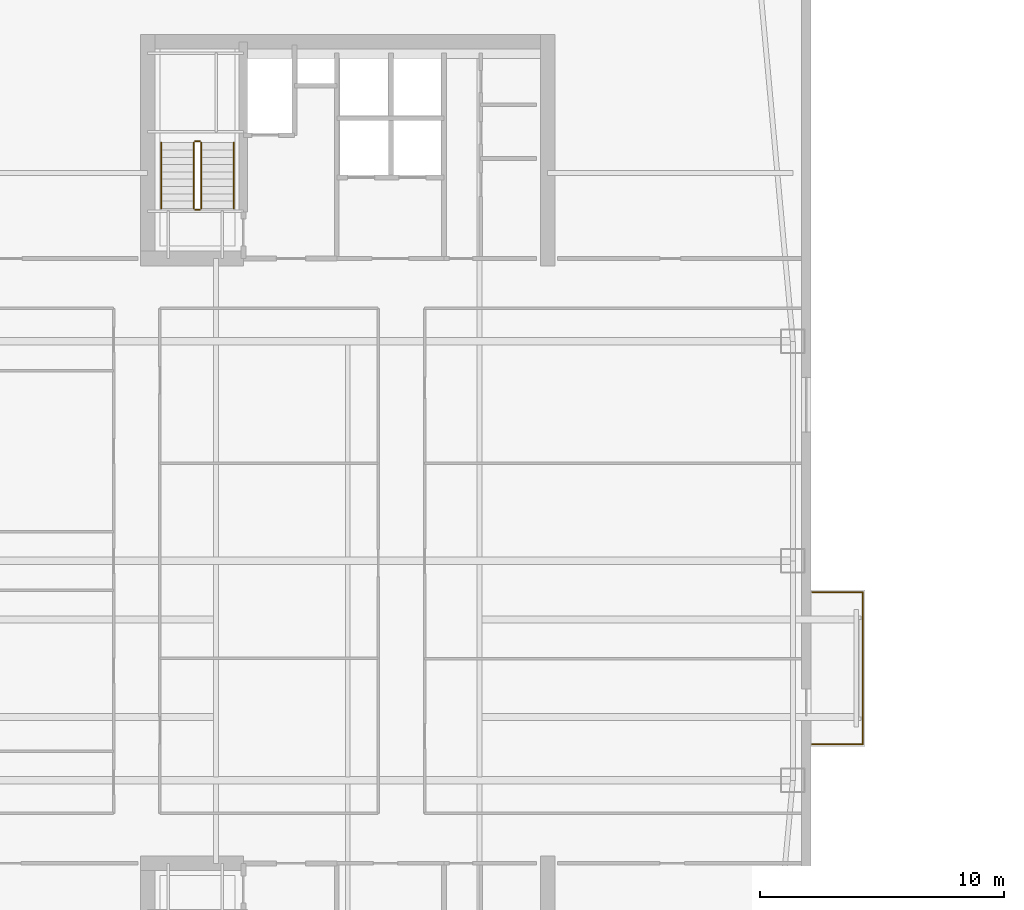
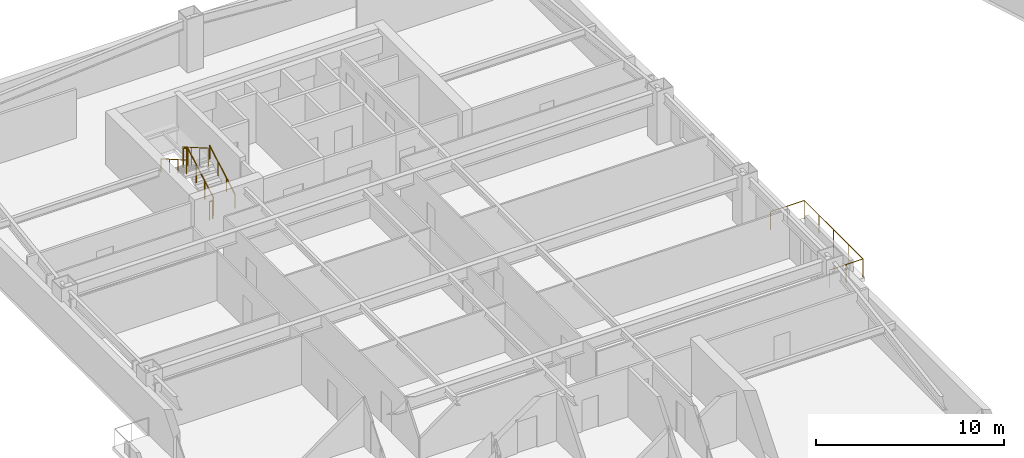
# One storey, part 20 of 22: 7 railings.
"""IFC4 building model written with IfcOpenShell, lengths in metres."""

from ifc_helpers import new_model, si_unit, direction, frame, origin, origin_2d, place, context, subcontext, project, spatial, circle, extrude, material, type_object, element, save


model = new_model("IFC4")

# Units and contexts
model_context = context("Model", 3, precision=1e-05, world=origin(), true_north=direction((0.0, 1.0)))
body_context = subcontext(model_context, "Body", "Model", "MODEL_VIEW")
ifc_project = project(units=[si_unit("LENGTHUNIT", "METRE"), si_unit("AREAUNIT", "SQUARE_METRE"), si_unit("VOLUMEUNIT", "CUBIC_METRE"), si_unit("PLANEANGLEUNIT", "RADIAN"), si_unit("MASSUNIT", "GRAM", prefix="KILO")], contexts=[model_context])

# Site, building, storey
site_placement = place(None, origin())
site = spatial("IfcSite", under=ifc_project, at=site_placement, CompositionType="ELEMENT")
building_placement = place(site_placement, origin())
building = spatial("IfcBuilding", under=site, at=building_placement, Name="Qiaolan Cultural Towers", CompositionType="ELEMENT")
storey_placement = place(building_placement, frame((0.0, 0.0, 146.050048828125)))
storey = spatial("IfcBuildingStorey", under=building, at=storey_placement, Name="L38", CompositionType="ELEMENT", Elevation=146.050048828125)

# Railings
ifc_material_1 = material(Name="Laminated SentryGlas & Stainless Steel S31608 Balustrade", Category="steel")
railing_type_1 = type_object("IfcRailingType", Name="GRD-TERR-1200", PredefinedType="BALUSTRADE", material=ifc_material_1)
railing_1_placement = place(storey_placement, frame((49.050048828125, 26.47998046875, 0.0)))
element("IfcRailing", 1, at=railing_1_placement, inside=storey, type_object=railing_type_1, Name="L38 T1 Tree Balcony Guardrail E", PredefinedType="BALUSTRADE", context=body_context, shape_type="SweptSolid", body=[
    extrude(circle(Radius=0.02392578125, at=origin_2d()), frame((0.0, 0.0, 1.17578125), z_axis=(1.0, 0.0, 0.0), x_axis=(0.0, 1.0, 0.0)), (0.0, 0.0, 1.0), 2.070068359375),
    extrude(circle(Radius=0.02392578125, at=origin_2d()), frame((2.070068359375, 0.0, 1.17578125), z_axis=(0.0, 1.0, 0.0), x_axis=(-1.0, 0.0, 0.0)), (0.0, 0.0, 1.0), 6.239990234375),
    extrude(circle(Radius=0.02392578125, at=origin_2d()), frame((2.070068359375, 6.239990234375, 1.17578125), z_axis=(-1.0, 0.0, 0.0), x_axis=(0.0, -1.0, 0.0)), (0.0, 0.0, 1.0), 2.070068359375),
    extrude(circle(Radius=0.02099609375, at=origin_2d()), origin(), (0.0, 0.0, 1.0), 1.15185546875),
    extrude(circle(Radius=0.02099609375, at=origin_2d()), frame((1.03515625, 0.0, 0.0)), (0.0, 0.0, 1.0), 1.15185546875),
    extrude(circle(Radius=0.02099609375, at=origin_2d()), frame((2.070068359375, 0.0, 0.0)), (0.0, 0.0, 1.0), 1.15185546875),
    extrude(circle(Radius=0.02099609375, at=origin_2d()), frame((2.070068359375, 1.56005859375, 0.0)), (0.0, 0.0, 1.0), 1.15185546875),
    extrude(circle(Radius=0.02099609375, at=origin_2d()), frame((2.070068359375, 3.1201171875, 0.0)), (0.0, 0.0, 1.0), 1.15185546875),
    extrude(circle(Radius=0.02099609375, at=origin_2d()), frame((2.070068359375, 4.679931640625, 0.0)), (0.0, 0.0, 1.0), 1.15185546875),
    extrude(circle(Radius=0.02099609375, at=origin_2d()), frame((2.070068359375, 6.239990234375, 0.0)), (0.0, 0.0, 1.0), 1.15185546875),
    extrude(circle(Radius=0.02099609375, at=origin_2d()), frame((1.03515625, 6.239990234375, 0.0)), (0.0, 0.0, 1.0), 1.15185546875),
    extrude(circle(Radius=0.02099609375, at=origin_2d()), frame((0.0, 6.239990234375, 0.0)), (0.0, 0.0, 1.0), 1.15185546875),
])
ifc_material_2 = material(Name="Galvanized Painted Steel Stair Guardrail", Category="steel")
railing_type_2 = type_object("IfcRailingType", Name="RL-STAIR-GRD", PredefinedType="GUARDRAIL", material=ifc_material_2)
railing_2_placement = place(storey_placement, frame((23.989990234375, 48.449951171875, 0.17236328125)))
element("IfcRailing", 2, at=railing_2_placement, inside=storey, type_object=railing_type_2, Name="L38 ST-W2 stair guard 1", PredefinedType="GUARDRAIL", context=body_context, shape_type="SweptSolid", body=[
    extrude(circle(Radius=0.02392578125, at=origin_2d()), frame((0.0, 0.0, 1.17578125), z_axis=(0.0, 0.866903762492, 0.498475542607), x_axis=(-1.0, 0.0, 0.0)), (0.0, 0.0, 1.0), 3.114501953125),
    extrude(circle(Radius=0.02099609375, at=origin_2d()), origin(), (0.0, 0.0, 1.0), 1.15185546875),
    extrude(circle(Radius=0.02099609375, at=origin_2d()), frame((0.0, 0.89990234375, 0.517578125)), (0.0, 0.0, 1.0), 1.15185546875),
    extrude(circle(Radius=0.02099609375, at=origin_2d()), frame((0.0, 1.800048828125, 1.034912109375)), (0.0, 0.0, 1.0), 1.15185546875),
    extrude(circle(Radius=0.02099609375, at=origin_2d()), frame((0.0, 2.699951171875, 1.552490234375)), (0.0, 0.0, 1.0), 1.15185546875),
])
railing_3_placement = place(storey_placement, frame((23.93994140625, 51.199951171875, 1.724853515625)))
element("IfcRailing", 3, at=railing_3_placement, inside=storey, type_object=railing_type_2, Name="L38 ST-W2 stair guard 2", PredefinedType="GUARDRAIL", context=body_context, shape_type="SweptSolid", body=[
    extrude(circle(Radius=0.02392578125, at=origin_2d()), frame((0.0, 0.0, 1.17578125), z_axis=(-1.0, 0.0, 0.0), x_axis=(0.0, -1.0, 0.0)), (0.0, 0.0, 1.0), 0.199951171875),
    extrude(circle(Radius=0.02099609375, at=origin_2d()), origin(), (0.0, 0.0, 1.0), 1.15185546875),
    extrude(circle(Radius=0.02099609375, at=origin_2d()), frame((-0.199951171875, 0.0, 0.0)), (0.0, 0.0, 1.0), 1.15185546875),
])
railing_4_placement = place(storey_placement, frame((23.68994140625, 51.14990234375, 1.8974609375)))
element("IfcRailing", 4, at=railing_4_placement, inside=storey, type_object=railing_type_2, Name="L38 ST-W2 stair guard 3", PredefinedType="GUARDRAIL", context=body_context, shape_type="SweptSolid", body=[
    extrude(circle(Radius=0.02392578125, at=origin_2d()), frame((0.0, 0.0, 1.17578125), z_axis=(0.0, -0.866903762492, 0.498475542607), x_axis=(1.0, 0.0, 0.0)), (0.0, 0.0, 1.0), 3.114501953125),
    extrude(circle(Radius=0.02099609375, at=origin_2d()), origin(), (0.0, 0.0, 1.0), 1.15185546875),
    extrude(circle(Radius=0.02099609375, at=origin_2d()), frame((0.0, -0.89990234375, 0.517578125)), (0.0, 0.0, 1.0), 1.15185546875),
    extrude(circle(Radius=0.02099609375, at=origin_2d()), frame((0.0, -1.800048828125, 1.034912109375)), (0.0, 0.0, 1.0), 1.15185546875),
    extrude(circle(Radius=0.02099609375, at=origin_2d()), frame((0.0, -2.699951171875, 1.552490234375)), (0.0, 0.0, 1.0), 1.15185546875),
])
railing_5_placement = place(storey_placement, frame((23.93994140625, 48.39990234375, 0.0)))
element("IfcRailing", 5, at=railing_5_placement, inside=storey, type_object=railing_type_2, Name="L38 ST-W2 stair guard 4", PredefinedType="GUARDRAIL", context=body_context, shape_type="SweptSolid", body=[
    extrude(circle(Radius=0.02392578125, at=origin_2d()), frame((0.0, 0.0, 1.17578125), z_axis=(-1.0, 0.0, 0.0), x_axis=(0.0, -1.0, 0.0)), (0.0, 0.0, 1.0), 0.199951171875),
    extrude(circle(Radius=0.02099609375, at=origin_2d()), origin(), (0.0, 0.0, 1.0), 1.15185546875),
    extrude(circle(Radius=0.02099609375, at=origin_2d()), frame((-0.199951171875, 0.0, 0.0)), (0.0, 0.0, 1.0), 1.15185546875),
])
ifc_material_3 = material(Name="Stainless Steel S30408 Tubular Handrail", Category="steel")
railing_type_3 = type_object("IfcRailingType", Name="RL-STAIR-HR", PredefinedType="HANDRAIL", material=ifc_material_3)
railing_6_placement = place(storey_placement, frame((25.330078125, 48.449951171875, 0.17236328125)))
element("IfcRailing", 6, at=railing_6_placement, inside=storey, type_object=railing_type_3, Name="L38 ST-W2 stair handrail 1", PredefinedType="HANDRAIL", context=body_context, shape_type="SweptSolid", body=[
    extrude(circle(Radius=0.02392578125, at=origin_2d()), frame((0.0, 0.0, 0.8759765625), z_axis=(0.0, 0.866903762492, 0.498475542607), x_axis=(-1.0, 0.0, 0.0)), (0.0, 0.0, 1.0), 3.114501953125),
    extrude(circle(Radius=0.02099609375, at=origin_2d()), origin(), (0.0, 0.0, 1.0), 0.851806640625),
    extrude(circle(Radius=0.02099609375, at=origin_2d()), frame((0.0, 0.89990234375, 0.517578125)), (0.0, 0.0, 1.0), 0.851806640625),
    extrude(circle(Radius=0.02099609375, at=origin_2d()), frame((0.0, 1.800048828125, 1.034912109375)), (0.0, 0.0, 1.0), 0.851806640625),
    extrude(circle(Radius=0.02099609375, at=origin_2d()), frame((0.0, 2.699951171875, 1.552490234375)), (0.0, 0.0, 1.0), 0.851806640625),
])
railing_7_placement = place(storey_placement, frame((22.35009765625, 51.14990234375, 1.8974609375)))
element("IfcRailing", 7, at=railing_7_placement, inside=storey, type_object=railing_type_3, Name="L38 ST-W2 stair handrail 2", PredefinedType="HANDRAIL", context=body_context, shape_type="SweptSolid", body=[
    extrude(circle(Radius=0.02392578125, at=origin_2d()), frame((0.0, 0.0, 0.8759765625), z_axis=(0.0, -0.866903762492, 0.498475542607), x_axis=(1.0, 0.0, 0.0)), (0.0, 0.0, 1.0), 3.114501953125),
    extrude(circle(Radius=0.02099609375, at=origin_2d()), origin(), (0.0, 0.0, 1.0), 0.851806640625),
    extrude(circle(Radius=0.02099609375, at=origin_2d()), frame((0.0, -0.89990234375, 0.517578125)), (0.0, 0.0, 1.0), 0.851806640625),
    extrude(circle(Radius=0.02099609375, at=origin_2d()), frame((0.0, -1.800048828125, 1.034912109375)), (0.0, 0.0, 1.0), 0.851806640625),
    extrude(circle(Radius=0.02099609375, at=origin_2d()), frame((0.0, -2.699951171875, 1.552490234375)), (0.0, 0.0, 1.0), 0.851806640625),
])

save(model, "model.ifc")
